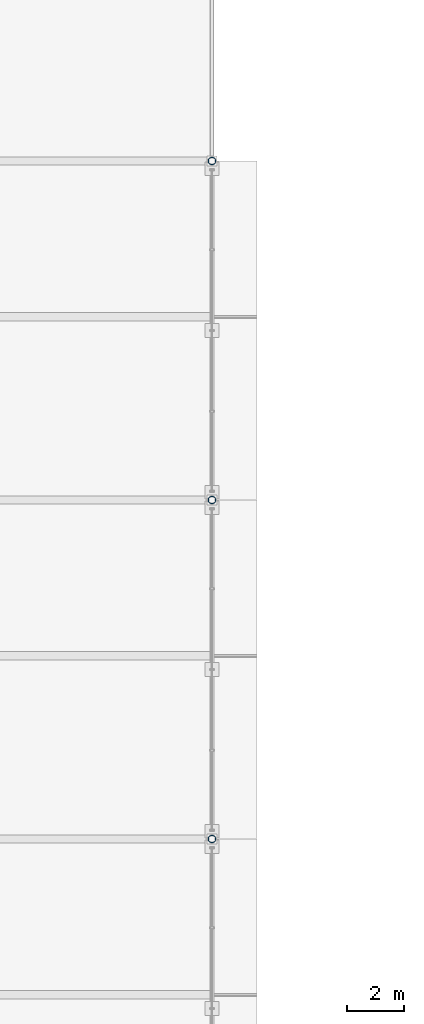
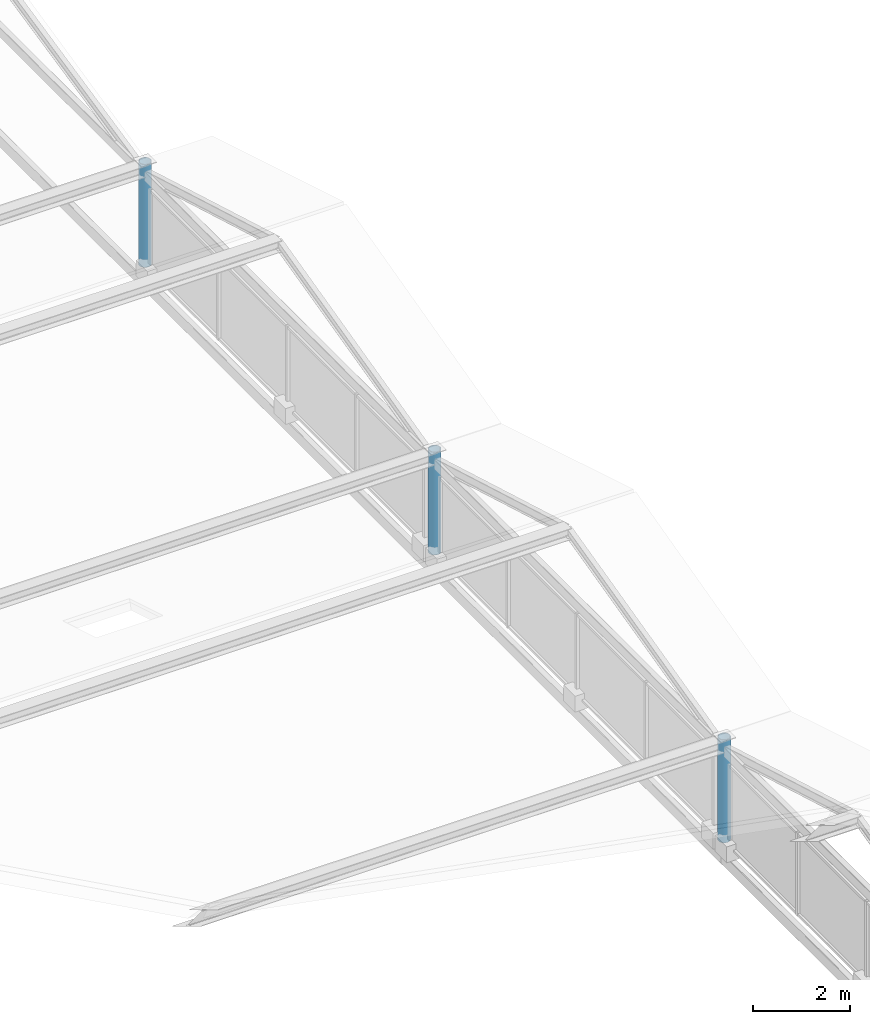
# One storey, part 12 of 117: 3 columns.
"""IFC4 building model written with IfcOpenShell, lengths in metres."""

import ifcopenshell
import ifcopenshell.guid

model = None  # the IFC model being written
_history = None  # IfcOwnerHistory: only IFC2X3 demands one
_inside = {}  # id of a spatial element -> (the spatial element, [elements in it])
_under = {}  # id of a project, library or spatial element -> (it, [spatial elements below it])
_declared = {}  # id of a project -> (the project, [libraries it declares])
_typed = {}  # id of a type object -> (the type object, [elements of that type])
_made_of = {}  # id of a material, layer set ... -> (it, [elements and type objects made of it])


def new_model(schema):
    """Start an empty IFC model of exactly this schema.

    Asked for "IFC4X3", IfcOpenShell would pick the latest addendum, in which some entities
    have other attributes; the version numbers below select the first issue.
    IFC2X3 requires an IfcOwnerHistory on every rooted entity: one is made here for all.
    """
    global model, _history
    if schema == "IFC4X3":
        model = ifcopenshell.file(schema_version=(4, 3, 0, 0))
    else:
        model = ifcopenshell.file(schema=schema)
    _inside.clear()
    _under.clear()
    _declared.clear()
    _typed.clear()
    _made_of.clear()
    _history = None
    if model.schema == "IFC2X3":
        org = make("IfcOrganization", Name="unknown")
        user = make(
            "IfcPersonAndOrganization",
            ThePerson=make("IfcPerson", FamilyName="unknown"),
            TheOrganization=org,
        )
        app = make(
            "IfcApplication",
            ApplicationDeveloper=org,
            Version="unknown",
            ApplicationFullName="unknown",
            ApplicationIdentifier="unknown",
        )
        _history = make(
            "IfcOwnerHistory",
            OwningUser=user,
            OwningApplication=app,
            ChangeAction="ADDED",
            CreationDate=0,
        )
    return model


def make(cls, **values):
    """One entity of the class cls with the attributes given. An attribute that is None is left unset."""
    return model.create_entity(
        cls, **{name: value for name, value in values.items() if value is not None}
    )


def rooted(cls, **values):
    """An entity with a GlobalId (a new one), such as an element, a storey or a relation."""
    return make(cls, GlobalId=ifcopenshell.guid.new(), OwnerHistory=_history, **values)


def si_unit(unit_type, name, prefix=None):
    """IfcSIUnit, for example si_unit("LENGTHUNIT", "METRE", prefix="MILLI")."""
    return make("IfcSIUnit", UnitType=unit_type, Prefix=prefix, Name=name)


def assignment(units):
    """IfcUnitAssignment: the units of a project."""
    return None if units is None else make("IfcUnitAssignment", Units=units)


def point(xyz):
    """IfcCartesianPoint."""
    return None if xyz is None else make("IfcCartesianPoint", Coordinates=xyz)


def direction(xyz):
    """IfcDirection."""
    return None if xyz is None else make("IfcDirection", DirectionRatios=xyz)


def frame(location, z_axis=None, x_axis=None):
    """IfcAxis2Placement3D, a coordinate frame: its origin and axes. An axis left out is left unset."""
    return make(
        "IfcAxis2Placement3D",
        Location=point(location),
        Axis=direction(z_axis),
        RefDirection=direction(x_axis),
    )


def frame_2d(location, x_axis=None):
    """IfcAxis2Placement2D, a coordinate frame in the plane: its origin and x axis."""
    return make(
        "IfcAxis2Placement2D", Location=point(location), RefDirection=direction(x_axis)
    )


def origin():
    """The frame at (0, 0, 0) with its axes left unset."""
    return frame((0.0, 0.0, 0.0))


def origin_2d():
    """The frame at (0, 0) in the plane with its x axis left unset."""
    return frame_2d((0.0, 0.0))


def place(relative_to, where):
    """IfcLocalPlacement: puts the frame where relative to a parent placement (None: the world)."""
    return make(
        "IfcLocalPlacement", PlacementRelTo=relative_to, RelativePlacement=where
    )


def context(
    kind, dimensions, precision=None, world=None, true_north=None, identifier=None
):
    """IfcGeometricRepresentationContext, for example the 3D "Model" context."""
    return make(
        "IfcGeometricRepresentationContext",
        ContextIdentifier=identifier,
        ContextType=kind,
        CoordinateSpaceDimension=dimensions,
        Precision=precision,
        WorldCoordinateSystem=world,
        TrueNorth=true_north,
    )


def subcontext(parent, identifier, kind, view, scale=None):
    """IfcGeometricRepresentationSubContext, for example "Body" below "Model"."""
    return make(
        "IfcGeometricRepresentationSubContext",
        ContextIdentifier=identifier,
        ContextType=kind,
        ParentContext=parent,
        TargetScale=scale,
        TargetView=view,
    )


def project(units=None, contexts=None):
    """IfcProject with its units and contexts."""
    return rooted(
        "IfcProject",
        Name="project",
        RepresentationContexts=contexts,
        UnitsInContext=assignment(units),
    )


def spatial(cls, under=None, at=None, **own):
    """A site, building, storey or space (cls), placed at a placement, below another one or the project."""
    s = rooted(cls, ObjectPlacement=at, **own)
    if under is not None:
        _under.setdefault(under.id(), (under, []))[1].append(s)
    return s


def profile(cls, at=None, kind="AREA", **sizes):
    """A parametric profile (cls). Its sizes go by their IFC names, for example OverallWidth=200.0."""
    return make(cls, ProfileType=kind, Position=at, **sizes)


def hollow_circle(**sizes):
    """IfcCircleHollowProfileDef."""
    return profile("IfcCircleHollowProfileDef", **sizes)


def extrude(swept, where, along, depth):
    """IfcExtrudedAreaSolid: the profile swept, set in the frame where, extruded along a direction by depth."""
    return make(
        "IfcExtrudedAreaSolid",
        SweptArea=swept,
        Position=where,
        ExtrudedDirection=direction(along),
        Depth=depth,
    )


def shape(context_of_items, identifier, shape_type, items):
    """IfcShapeRepresentation: the items that make up one representation, for example the "Body"."""
    return make(
        "IfcShapeRepresentation",
        ContextOfItems=context_of_items,
        RepresentationIdentifier=identifier,
        RepresentationType=shape_type,
        Items=items,
    )


def material(Name=None, Category=None):
    """IfcMaterial."""
    return make("IfcMaterial", Name=Name, Category=Category)


def material_profile(
    of_material, cross_section, Name=None, Category=None, Priority=None
):
    """IfcMaterialProfile: a cross section and its material."""
    return make(
        "IfcMaterialProfile",
        Name=Name,
        Material=of_material,
        Profile=cross_section,
        Priority=Priority,
        Category=Category,
    )


def profile_set(profiles, Name=None, composite=None):
    """IfcMaterialProfileSet."""
    return make(
        "IfcMaterialProfileSet",
        Name=Name,
        MaterialProfiles=profiles,
        CompositeProfile=composite,
    )


def made_of(thing, what):
    """Note that an element or type object is made of a material, layer set ...; save() writes the relation."""
    if what is not None:
        _made_of.setdefault(what.id(), (what, []))[1].append(thing)
    return thing


def type_object(cls, material=None, **own):
    """A type object (cls), such as IfcWallType, which elements share."""
    return made_of(rooted(cls, **own), material)


def element(
    cls,
    number,
    at=None,
    inside=None,
    cuts=None,
    type_object=None,
    material=None,
    context=None,
    identifier="Body",
    shape_type=None,
    held_by="IfcProductDefinitionShape",
    body=None,
    shapes=None,
    **own,
):
    """One element of the class cls, such as IfcWall. Its Tag is "e" and its number.

    at: its placement. inside: the storey or other place that contains it. cuts: it is an
    opening in that element (IfcRelVoidsElement). A single representation is given by context,
    identifier, shape_type and body (its items); several are given by shapes. held_by: the class
    of the entity that holds the representations. save() writes the other relations.
    """
    e = rooted(cls, Tag="e%d" % number, ObjectPlacement=at, **own)
    if body is not None:
        shapes = [shape(context, identifier, shape_type, body)]
    if shapes is not None:
        e.Representation = make(held_by, Representations=shapes)
    if inside is not None:
        _inside.setdefault(inside.id(), (inside, []))[1].append(e)
    if cuts is not None:
        rooted(
            "IfcRelVoidsElement", RelatingBuildingElement=cuts, RelatedOpeningElement=e
        )
    if type_object is not None:
        _typed.setdefault(type_object.id(), (type_object, []))[1].append(e)
    return made_of(e, material)


def aggregate(whole, parts):
    """IfcRelAggregates: a whole, such as a stair, and the parts it consists of."""
    return rooted("IfcRelAggregates", RelatingObject=whole, RelatedObjects=parts)


def save(model, path):
    """Write the relations noted so far, then the file.

    IfcRelAggregates (storeys below a building ...), IfcRelContainedInSpatialStructure (elements
    in a storey), IfcRelDefinesByType, IfcRelAssociatesMaterial and IfcRelDeclares: one each for
    every whole, place, type object, material and project.
    """
    for whole, parts in _under.values():
        aggregate(whole, parts)
    for where, things in _inside.values():
        rooted(
            "IfcRelContainedInSpatialStructure",
            RelatedElements=things,
            RelatingStructure=where,
        )
    for kind, things in _typed.values():
        rooted("IfcRelDefinesByType", RelatedObjects=things, RelatingType=kind)
    for what, things in _made_of.values():
        rooted("IfcRelAssociatesMaterial", RelatedObjects=things, RelatingMaterial=what)
    for by, libraries in _declared.values():
        rooted("IfcRelDeclares", RelatingContext=by, RelatedDefinitions=libraries)
    model.write(path)


model = new_model("IFC4")

# Units and contexts
model_context = context("Model", 3, precision=1e-05, world=origin(), true_north=direction((0.0, 1.0)))
body_context = subcontext(model_context, "Body", "Model", "MODEL_VIEW")
ifc_project = project(units=[si_unit("LENGTHUNIT", "METRE"), si_unit("AREAUNIT", "SQUARE_METRE"), si_unit("VOLUMEUNIT", "CUBIC_METRE"), si_unit("PLANEANGLEUNIT", "RADIAN"), si_unit("MASSUNIT", "GRAM", prefix="KILO")], contexts=[model_context])

# Site, building, storey
site_placement = place(None, origin())
site = spatial("IfcSite", under=ifc_project, at=site_placement, CompositionType="ELEMENT")
building_placement = place(site_placement, origin())
building = spatial("IfcBuilding", under=site, at=building_placement, Name="Merenkruunu Market Hall", CompositionType="ELEMENT")
storey_placement = place(building_placement, frame((0.0, 0.0, 10.199951171875)))
storey = spatial("IfcBuildingStorey", under=building, at=storey_placement, Name="L02", CompositionType="ELEMENT", Elevation=10.199951171875)

# Columns
ifc_material = material(Name="Steel S355ML", Category="steel")
ifc_material_profile = material_profile(ifc_material, hollow_circle(Radius=0.136474609375, WallThickness=0.012451171875, at=origin_2d()), Name="CHS 273x12.5")
ifc_profile_set = profile_set([ifc_material_profile], Name="Steel S355ML")
column_type = type_object("IfcColumnType", Name="Structural Column C14", PredefinedType="COLUMN", material=ifc_profile_set)
for number, where, z_axis, x_axis, name in (
    (1, (76.800048828125, 63.60009765625, 0.0), (0.0, 0.0, 1.0), (1.0, 0.0, 0.0), "COL-L02-J-08"),
    (2, (76.800048828125, 75.60009765625, 0.0), (0.0, 0.0, 1.0), (1.0, 0.0, 0.0), "COL-L02-J-09"),
    (3, (76.800048828125, 87.60009765625, 0.0), (0.0, 0.0, 1.0), (1.0, 0.0, 0.0), "COL-L02-J-10"),
):
    element("IfcColumn", number, at=place(storey_placement, frame(where, z_axis=z_axis, x_axis=x_axis)), inside=storey, type_object=column_type, Name=name, PredefinedType="COLUMN", context=body_context, shape_type="SweptSolid", body=[
        extrude(hollow_circle(Radius=0.136474609375, WallThickness=0.012451171875, at=origin_2d()), origin(), (0.0, 0.0, 1.0), 2.60009765625),
    ])

save(model, "model.ifc")
